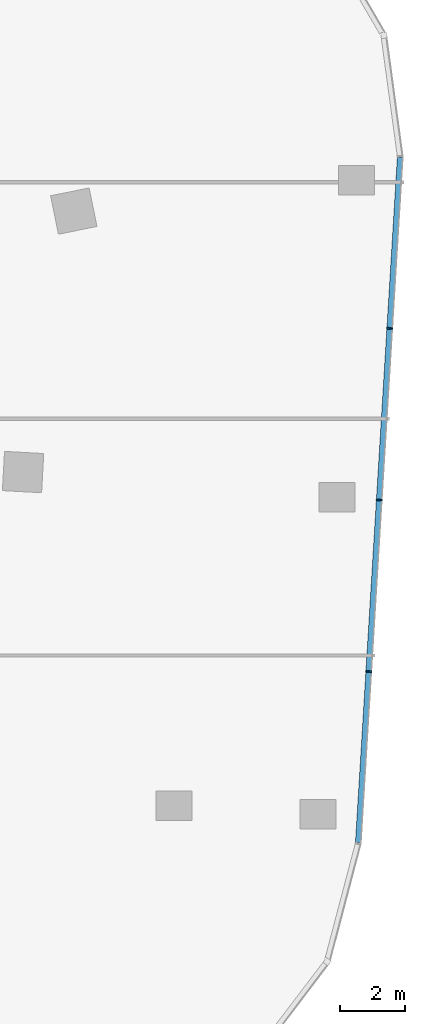
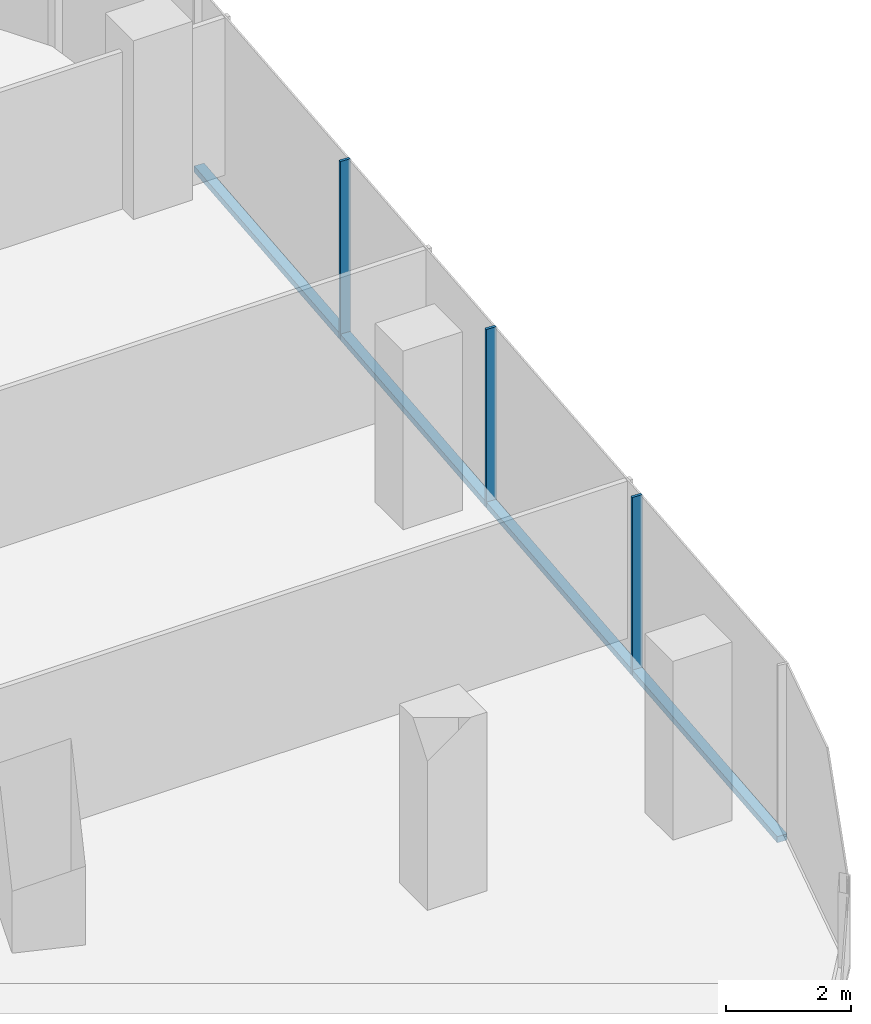
# One storey, part 8 of 25: 4 members, 1 element without a shape of its own.
"""IFC4 building model written with IfcOpenShell, lengths in metres."""

from ifc_helpers import new_model, si_unit, direction, frame, origin, origin_2d, place, context, subcontext, project, spatial, rectangle, extrude, material, material_profile, profile_set, type_object, element, aggregate, save


model = new_model("IFC4")

# Units and contexts
model_context = context("Model", 3, precision=1e-05, world=origin(), true_north=direction((0.0, 1.0)))
body_context = subcontext(model_context, "Body", "Model", "MODEL_VIEW")
ifc_project = project(units=[si_unit("LENGTHUNIT", "METRE"), si_unit("AREAUNIT", "SQUARE_METRE"), si_unit("VOLUMEUNIT", "CUBIC_METRE"), si_unit("PLANEANGLEUNIT", "RADIAN"), si_unit("MASSUNIT", "GRAM", prefix="KILO")], contexts=[model_context])

# Site, building, storey
site_placement = place(None, origin())
site = spatial("IfcSite", under=ifc_project, at=site_placement, CompositionType="ELEMENT")
building_placement = place(site_placement, origin())
building = spatial("IfcBuilding", under=site, at=building_placement, Name="Orlundy Tower", CompositionType="ELEMENT")
storey_placement = place(building_placement, frame((0.0, 0.0, 159.60009765625)))
storey = spatial("IfcBuildingStorey", under=building, at=storey_placement, Name="L41", CompositionType="ELEMENT", Elevation=159.60009765625)

# Curtain wall, members
ifc_material_1 = material(Name="Aluminium bronze anodised", Category="aluminium")
curtain_wall_type = type_object("IfcCurtainWallType", Name="CW1 wall", PredefinedType="NOTDEFINED", material=ifc_material_1)
curtain_wall_placement = place(storey_placement, origin())
curtain_wall = element("IfcCurtainWall", 1, at=curtain_wall_placement, inside=storey, type_object=curtain_wall_type, Name="CW1 run 011", PredefinedType="NOTDEFINED")
ifc_material_2 = material(Name="Aluminium bronze anodised", Category="aluminium")
ifc_material_profile_1 = material_profile(ifc_material_2, rectangle(XDim=0.179931640625, YDim=0.050048828125, at=origin_2d()), Name="CW1 mullion 50x180")
ifc_profile_set_1 = profile_set([ifc_material_profile_1], Name="Aluminium bronze anodised")
member_type_1 = type_object("IfcMemberType", Name="CW1 mullion 50x180", PredefinedType="MULLION", material=ifc_profile_set_1)
member_1_placement = place(storey_placement, frame((40.834228515625, 2.76220703125, -0.400146484375), z_axis=(0.0, 0.0, 1.0), x_axis=(0.998134884544, -0.061047131434, 0.0)))
member_1 = element("IfcMember", 2, at=member_1_placement, type_object=member_type_1, Name="CW1 mullion 33", PredefinedType="MULLION", context=body_context, shape_type="SweptSolid", body=[
    extrude(rectangle(XDim=0.179931640625, YDim=0.050048828125, at=origin_2d()), origin(), (0.0, 0.0, 1.0), 3.5),
])
member_2_placement = place(storey_placement, frame((40.513916015625, -2.47802734375, -0.400146484375), z_axis=(0.0, 0.0, 1.0), x_axis=(0.998134884544, -0.061047131434, 0.0)))
member_2 = element("IfcMember", 3, at=member_2_placement, type_object=member_type_1, Name="CW1 mullion 34", PredefinedType="MULLION", context=body_context, shape_type="SweptSolid", body=[
    extrude(rectangle(XDim=0.179931640625, YDim=0.050048828125, at=origin_2d()), origin(), (0.0, 0.0, 1.0), 3.5),
])
member_3_placement = place(storey_placement, frame((40.193359375, -7.71826171875, -0.400146484375), z_axis=(0.0, 0.0, 1.0), x_axis=(0.998134884544, -0.061047131434, 0.0)))
member_3 = element("IfcMember", 4, at=member_3_placement, type_object=member_type_1, Name="CW1 mullion 35", PredefinedType="MULLION", context=body_context, shape_type="SweptSolid", body=[
    extrude(rectangle(XDim=0.179931640625, YDim=0.050048828125, at=origin_2d()), origin(), (0.0, 0.0, 1.0), 3.5),
])
ifc_material_3 = material(Name="Aluminium bronze anodised", Category="aluminium")
ifc_material_profile_2 = material_profile(ifc_material_3, rectangle(XDim=0.179931640625, YDim=0.1201171875, at=origin_2d()), Name="CW1 transom 180x120")
ifc_profile_set_2 = profile_set([ifc_material_profile_2], Name="Aluminium bronze anodised")
member_type_2 = type_object("IfcMemberType", Name="CW1 transom 180x120", PredefinedType="USERDEFINED", material=ifc_profile_set_2)
member_4_placement = place(storey_placement, frame((41.15380859375, 7.986328125, -0.340087890625), z_axis=(-0.061047327897, -0.998134872528, 0.0), x_axis=(0.998134872528, -0.061047327897, 0.0)))
member_4 = element("IfcMember", 5, at=member_4_placement, type_object=member_type_2, Name="CW1 transom", ObjectType="TRANSOM", PredefinedType="USERDEFINED", context=body_context, shape_type="SweptSolid", body=[
    extrude(rectangle(XDim=0.179931640625, YDim=0.1201171875, at=origin_2d()), origin(), (0.0, 0.0, 1.0), 20.9677734375),
])
aggregate(curtain_wall, [member_1, member_2, member_3, member_4])

save(model, "model.ifc")
